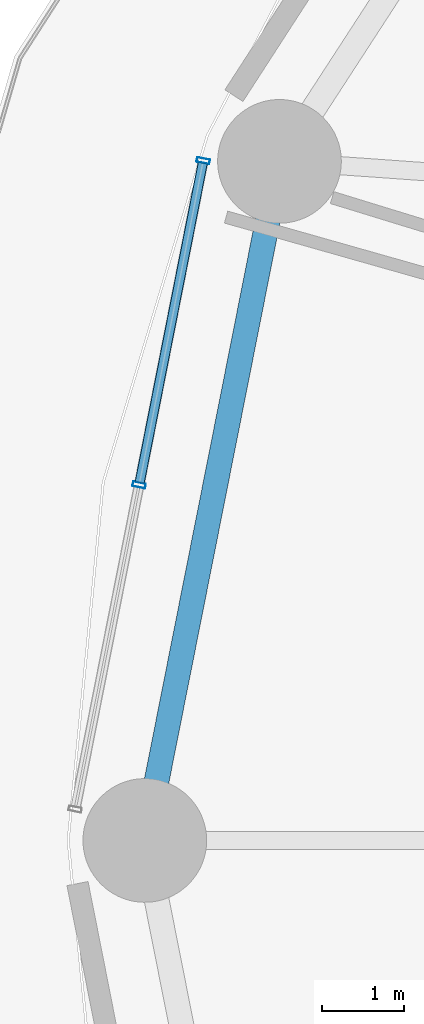
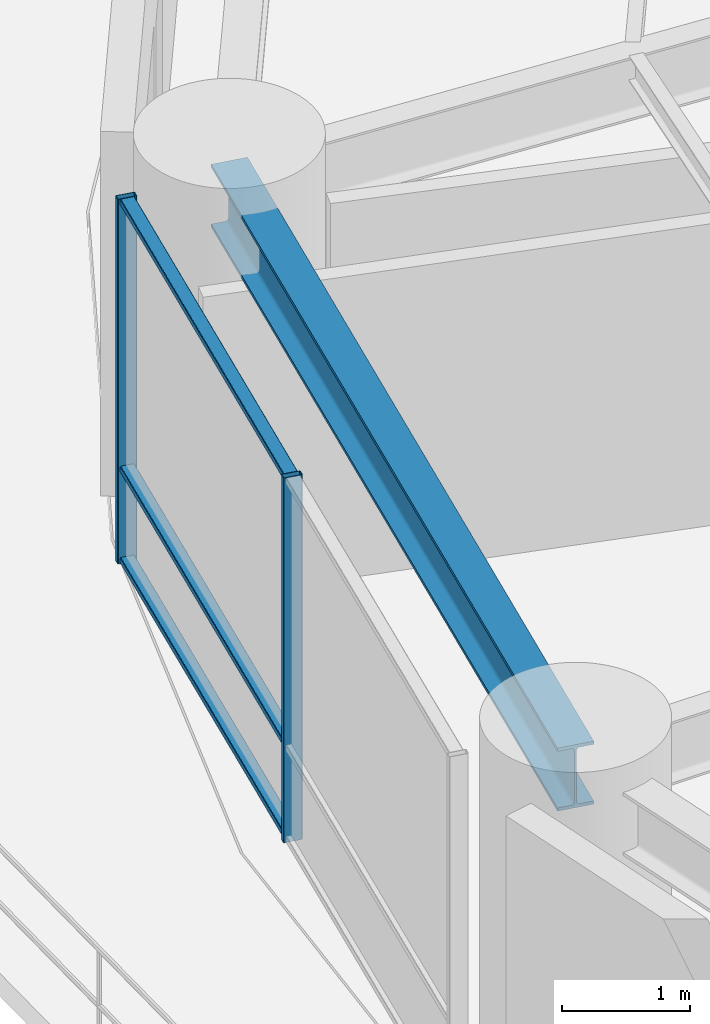
# One storey, part 14 of 32: 5 members, 1 beam, 1 element without a shape of its own.
"""IFC4 building model written with IfcOpenShell, lengths in metres."""

from ifc_helpers import new_model, si_unit, direction, frame, origin, origin_2d, place, context, subcontext, project, spatial, hollow_rectangle, i_section, extrude, material, layer, layer_set, material_profile, profile_set, type_object, element, aggregate, save


model = new_model("IFC4")

# Units and contexts
model_context = context("Model", 3, precision=1e-05, world=origin(), true_north=direction((0.0, 1.0)))
body_context = subcontext(model_context, "Body", "Model", "MODEL_VIEW")
ifc_project = project(units=[si_unit("LENGTHUNIT", "METRE"), si_unit("AREAUNIT", "SQUARE_METRE"), si_unit("VOLUMEUNIT", "CUBIC_METRE"), si_unit("PLANEANGLEUNIT", "RADIAN"), si_unit("MASSUNIT", "GRAM", prefix="KILO")], contexts=[model_context])

# Site, building, storey
site_placement = place(None, origin())
site = spatial("IfcSite", under=ifc_project, at=site_placement, CompositionType="ELEMENT")
building_placement = place(site_placement, origin())
building = spatial("IfcBuilding", under=site, at=building_placement, Name="Kelanora Arch Commons", CompositionType="ELEMENT")
storey_placement = place(building_placement, frame((0.0, 0.0, 48.75)))
storey = spatial("IfcBuildingStorey", under=building, at=storey_placement, Name="L12", CompositionType="ELEMENT", Elevation=48.75)

# Beam
ifc_material_1 = material(Name="Steel S355", Category="steel")
ifc_material_profile_1 = material_profile(ifc_material_1, i_section(OverallWidth=0.300048828125, OverallDepth=0.60009765625, WebThickness=0.015380859375, FlangeThickness=0.030029296875, FilletRadius=0.027099609375, at=origin_2d()), Name="HEB600")
ifc_profile_set_1 = profile_set([ifc_material_profile_1], Name="Steel S355")
beam_type = type_object("IfcBeamType", Name="BM-SPN-Z1", PredefinedType="SPANDREL", material=ifc_profile_set_1)
beam_placement = place(storey_placement, frame((48.552978515625, 66.23583984375, 3.18994140625), z_axis=(-0.194499827256, -0.980902552345, 0.0), x_axis=(0.980902552345, -0.194499827256, 0.0)))
element("IfcBeam", 1, at=beam_placement, inside=storey, type_object=beam_type, Name="Perimeter Spandrel Beam BS-16 L12", PredefinedType="SPANDREL", context=body_context, shape_type="SweptSolid", body=[
    extrude(i_section(OverallWidth=0.300048828125, OverallDepth=0.60009765625, WebThickness=0.015380859375, FlangeThickness=0.030029296875, FilletRadius=0.027099609375, at=origin_2d()), origin(), (0.0, 0.0, 1.0), 8.396240234375),
])

# Curtain wall, members
ifc_material_2 = material(Name="Terracotta ceramic-fritted low-E glass and aluminium", Category="masonry")
ifc_layer = layer(ifc_material_2, 0.159912109375)
ifc_layer_set = layer_set([ifc_layer], Name="Terracotta ceramic-fritted low-E glass and aluminium")
curtain_wall_type = type_object("IfcCurtainWallType", Name="CW-SYS-01", PredefinedType="NOTDEFINED", material=ifc_layer_set)
curtain_wall_placement = place(storey_placement, origin())
curtain_wall = element("IfcCurtainWall", 2, at=curtain_wall_placement, inside=storey, type_object=curtain_wall_type, Name="Unitised Curtain Wall L12-B08", PredefinedType="NOTDEFINED")
ifc_material_3 = material(Name="Powder-coated aluminium terracotta", Category="masonry")
ifc_material_profile_2 = material_profile(ifc_material_3, hollow_rectangle(XDim=0.159912109375, YDim=0.06005859375, WallThickness=0.0048828125, InnerFilletRadius=0.0048828125, OuterFilletRadius=0.010009765625, at=origin_2d()), Name="CWM160x60")
ifc_profile_set_2 = profile_set([ifc_material_profile_2], Name="Powder-coated aluminium terracotta")
member_type_1 = type_object("IfcMemberType", Name="CWM-STD", PredefinedType="MULLION", material=ifc_profile_set_2)
member_1_placement = place(storey_placement, frame((47.628173828125, 66.243896484375, 0.0), z_axis=(0.0, 0.0, 1.0), x_axis=(0.981052110579, -0.193744048498, 0.0)))
member_1 = element("IfcMember", 3, at=member_1_placement, type_object=member_type_1, Name="CW-01 mullion 1", PredefinedType="MULLION", context=body_context, shape_type="SweptSolid", body=[
    extrude(hollow_rectangle(XDim=0.159912109375, YDim=0.06005859375, WallThickness=0.0048828125, InnerFilletRadius=0.0048828125, OuterFilletRadius=0.010009765625, at=origin_2d()), origin(), (0.0, 0.0, 1.0), 3.47509765625),
])
member_2_placement = place(storey_placement, frame((46.8515625, 62.3115234375, 0.0), z_axis=(0.0, 0.0, 1.0), x_axis=(0.981052110579, -0.193744048498, 0.0)))
member_2 = element("IfcMember", 4, at=member_2_placement, type_object=member_type_1, Name="CW-01 mullion 2", PredefinedType="MULLION", context=body_context, shape_type="SweptSolid", body=[
    extrude(hollow_rectangle(XDim=0.159912109375, YDim=0.06005859375, WallThickness=0.0048828125, InnerFilletRadius=0.0048828125, OuterFilletRadius=0.010009765625, at=origin_2d()), origin(), (0.0, 0.0, 1.0), 3.47509765625),
])
ifc_material_profile_3 = material_profile(ifc_material_3, hollow_rectangle(XDim=0.1201171875, YDim=0.06005859375, WallThickness=0.0048828125, InnerFilletRadius=0.0048828125, OuterFilletRadius=0.010009765625, at=origin_2d()), Name="CWT120x60")
ifc_profile_set_3 = profile_set([ifc_material_profile_3], Name="Powder-coated aluminium terracotta")
member_type_2 = type_object("IfcMemberType", Name="CWT-STD", PredefinedType="USERDEFINED", material=ifc_profile_set_3)
member_3_placement = place(storey_placement, frame((47.622314453125, 66.21435546875, 0.030029296875), z_axis=(-0.193725436624, -0.98105578598, 0.0), x_axis=(0.98105578598, -0.193725436624, 0.0)))
member_3 = element("IfcMember", 5, at=member_3_placement, type_object=member_type_2, Name="CW-01 transom 1.1", ObjectType="TRANSOM", PredefinedType="USERDEFINED", context=body_context, shape_type="SweptSolid", body=[
    extrude(hollow_rectangle(XDim=0.1201171875, YDim=0.06005859375, WallThickness=0.0048828125, InnerFilletRadius=0.0048828125, OuterFilletRadius=0.010009765625, at=origin_2d()), origin(), (0.0, 0.0, 1.0), 3.9482421875),
])
member_4_placement = place(storey_placement, frame((47.622314453125, 66.21435546875, 0.89990234375), z_axis=(-0.193725436624, -0.98105578598, 0.0), x_axis=(0.98105578598, -0.193725436624, 0.0)))
member_4 = element("IfcMember", 6, at=member_4_placement, type_object=member_type_2, Name="CW-01 transom 1.2", ObjectType="TRANSOM", PredefinedType="USERDEFINED", context=body_context, shape_type="SweptSolid", body=[
    extrude(hollow_rectangle(XDim=0.1201171875, YDim=0.06005859375, WallThickness=0.0048828125, InnerFilletRadius=0.0048828125, OuterFilletRadius=0.010009765625, at=origin_2d()), origin(), (0.0, 0.0, 1.0), 3.9482421875),
])
member_5_placement = place(storey_placement, frame((47.622314453125, 66.21435546875, 3.445068359375), z_axis=(-0.193725436624, -0.98105578598, 0.0), x_axis=(0.98105578598, -0.193725436624, 0.0)))
member_5 = element("IfcMember", 7, at=member_5_placement, type_object=member_type_2, Name="CW-01 transom 1.3", ObjectType="TRANSOM", PredefinedType="USERDEFINED", context=body_context, shape_type="SweptSolid", body=[
    extrude(hollow_rectangle(XDim=0.1201171875, YDim=0.06005859375, WallThickness=0.0048828125, InnerFilletRadius=0.0048828125, OuterFilletRadius=0.010009765625, at=origin_2d()), origin(), (0.0, 0.0, 1.0), 3.9482421875),
])
aggregate(curtain_wall, [member_1, member_2, member_3, member_4, member_5])

save(model, "model.ifc")
